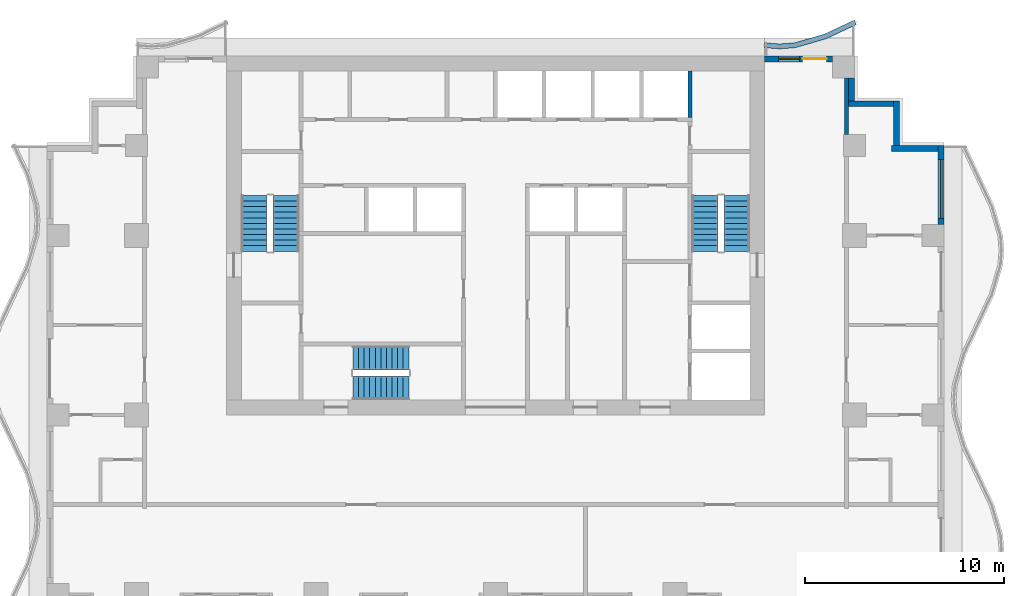
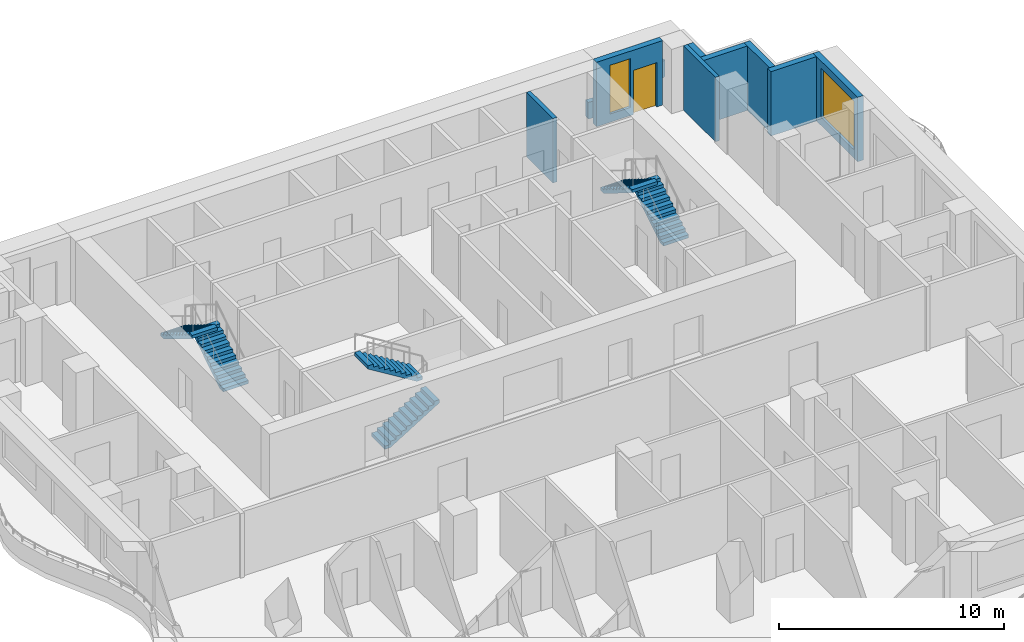
# One storey, part 6 of 10: 9 walls, 6 stair flights, 2 windows, 1 door, 3 openings, 3 elements without a shape of their own.
"""IFC4 building model written with IfcOpenShell, lengths in metres."""

import ifcopenshell
import ifcopenshell.guid

model = None  # the IFC model being written
_history = None  # IfcOwnerHistory: only IFC2X3 demands one
_inside = {}  # id of a spatial element -> (the spatial element, [elements in it])
_under = {}  # id of a project, library or spatial element -> (it, [spatial elements below it])
_declared = {}  # id of a project -> (the project, [libraries it declares])
_typed = {}  # id of a type object -> (the type object, [elements of that type])
_made_of = {}  # id of a material, layer set ... -> (it, [elements and type objects made of it])


def new_model(schema):
    """Start an empty IFC model of exactly this schema.

    Asked for "IFC4X3", IfcOpenShell would pick the latest addendum, in which some entities
    have other attributes; the version numbers below select the first issue.
    IFC2X3 requires an IfcOwnerHistory on every rooted entity: one is made here for all.
    """
    global model, _history
    if schema == "IFC4X3":
        model = ifcopenshell.file(schema_version=(4, 3, 0, 0))
    else:
        model = ifcopenshell.file(schema=schema)
    _inside.clear()
    _under.clear()
    _declared.clear()
    _typed.clear()
    _made_of.clear()
    _history = None
    if model.schema == "IFC2X3":
        org = make("IfcOrganization", Name="unknown")
        user = make(
            "IfcPersonAndOrganization",
            ThePerson=make("IfcPerson", FamilyName="unknown"),
            TheOrganization=org,
        )
        app = make(
            "IfcApplication",
            ApplicationDeveloper=org,
            Version="unknown",
            ApplicationFullName="unknown",
            ApplicationIdentifier="unknown",
        )
        _history = make(
            "IfcOwnerHistory",
            OwningUser=user,
            OwningApplication=app,
            ChangeAction="ADDED",
            CreationDate=0,
        )
    return model


def make(cls, **values):
    """One entity of the class cls with the attributes given. An attribute that is None is left unset."""
    return model.create_entity(
        cls, **{name: value for name, value in values.items() if value is not None}
    )


def rooted(cls, **values):
    """An entity with a GlobalId (a new one), such as an element, a storey or a relation."""
    return make(cls, GlobalId=ifcopenshell.guid.new(), OwnerHistory=_history, **values)


def si_unit(unit_type, name, prefix=None):
    """IfcSIUnit, for example si_unit("LENGTHUNIT", "METRE", prefix="MILLI")."""
    return make("IfcSIUnit", UnitType=unit_type, Prefix=prefix, Name=name)


def assignment(units):
    """IfcUnitAssignment: the units of a project."""
    return None if units is None else make("IfcUnitAssignment", Units=units)


def point(xyz):
    """IfcCartesianPoint."""
    return None if xyz is None else make("IfcCartesianPoint", Coordinates=xyz)


def direction(xyz):
    """IfcDirection."""
    return None if xyz is None else make("IfcDirection", DirectionRatios=xyz)


def frame(location, z_axis=None, x_axis=None):
    """IfcAxis2Placement3D, a coordinate frame: its origin and axes. An axis left out is left unset."""
    return make(
        "IfcAxis2Placement3D",
        Location=point(location),
        Axis=direction(z_axis),
        RefDirection=direction(x_axis),
    )


def frame_2d(location, x_axis=None):
    """IfcAxis2Placement2D, a coordinate frame in the plane: its origin and x axis."""
    return make(
        "IfcAxis2Placement2D", Location=point(location), RefDirection=direction(x_axis)
    )


def origin():
    """The frame at (0, 0, 0) with its axes left unset."""
    return frame((0.0, 0.0, 0.0))


def place(relative_to, where):
    """IfcLocalPlacement: puts the frame where relative to a parent placement (None: the world)."""
    return make(
        "IfcLocalPlacement", PlacementRelTo=relative_to, RelativePlacement=where
    )


def context(
    kind, dimensions, precision=None, world=None, true_north=None, identifier=None
):
    """IfcGeometricRepresentationContext, for example the 3D "Model" context."""
    return make(
        "IfcGeometricRepresentationContext",
        ContextIdentifier=identifier,
        ContextType=kind,
        CoordinateSpaceDimension=dimensions,
        Precision=precision,
        WorldCoordinateSystem=world,
        TrueNorth=true_north,
    )


def subcontext(parent, identifier, kind, view, scale=None):
    """IfcGeometricRepresentationSubContext, for example "Body" below "Model"."""
    return make(
        "IfcGeometricRepresentationSubContext",
        ContextIdentifier=identifier,
        ContextType=kind,
        ParentContext=parent,
        TargetScale=scale,
        TargetView=view,
    )


def project(units=None, contexts=None):
    """IfcProject with its units and contexts."""
    return rooted(
        "IfcProject",
        Name="project",
        RepresentationContexts=contexts,
        UnitsInContext=assignment(units),
    )


def spatial(cls, under=None, at=None, **own):
    """A site, building, storey or space (cls), placed at a placement, below another one or the project."""
    s = rooted(cls, ObjectPlacement=at, **own)
    if under is not None:
        _under.setdefault(under.id(), (under, []))[1].append(s)
    return s


def polyline(points):
    """IfcPolyline through the points."""
    return make("IfcPolyline", Points=[point(p) for p in points])


def profile(cls, at=None, kind="AREA", **sizes):
    """A parametric profile (cls). Its sizes go by their IFC names, for example OverallWidth=200.0."""
    return make(cls, ProfileType=kind, Position=at, **sizes)


def rectangle(**sizes):
    """IfcRectangleProfileDef."""
    return profile("IfcRectangleProfileDef", **sizes)


def outline(outer, holes=None, kind="AREA"):
    """IfcArbitraryClosedProfileDef: a profile drawn as a closed curve; with holes, ...WithVoids."""
    if holes is None:
        return make("IfcArbitraryClosedProfileDef", ProfileType=kind, OuterCurve=outer)
    return make(
        "IfcArbitraryProfileDefWithVoids",
        ProfileType=kind,
        OuterCurve=outer,
        InnerCurves=holes,
    )


def extrude(swept, where, along, depth):
    """IfcExtrudedAreaSolid: the profile swept, set in the frame where, extruded along a direction by depth."""
    return make(
        "IfcExtrudedAreaSolid",
        SweptArea=swept,
        Position=where,
        ExtrudedDirection=direction(along),
        Depth=depth,
    )


def shape(context_of_items, identifier, shape_type, items):
    """IfcShapeRepresentation: the items that make up one representation, for example the "Body"."""
    return make(
        "IfcShapeRepresentation",
        ContextOfItems=context_of_items,
        RepresentationIdentifier=identifier,
        RepresentationType=shape_type,
        Items=items,
    )


def material(Name=None, Category=None):
    """IfcMaterial."""
    return make("IfcMaterial", Name=Name, Category=Category)


def layer(
    of_material, thickness, ventilated=None, Name=None, Category=None, Priority=None
):
    """IfcMaterialLayer: one layer of a wall or slab, of a material (None: an air gap)."""
    return make(
        "IfcMaterialLayer",
        Material=of_material,
        LayerThickness=thickness,
        IsVentilated=ventilated,
        Name=Name,
        Category=Category,
        Priority=Priority,
    )


def layer_set(layers, Name=None):
    """IfcMaterialLayerSet."""
    return make("IfcMaterialLayerSet", MaterialLayers=layers, LayerSetName=Name)


def made_of(thing, what):
    """Note that an element or type object is made of a material, layer set ...; save() writes the relation."""
    if what is not None:
        _made_of.setdefault(what.id(), (what, []))[1].append(thing)
    return thing


def type_object(cls, material=None, **own):
    """A type object (cls), such as IfcWallType, which elements share."""
    return made_of(rooted(cls, **own), material)


def element(
    cls,
    number,
    at=None,
    inside=None,
    cuts=None,
    type_object=None,
    material=None,
    context=None,
    identifier="Body",
    shape_type=None,
    held_by="IfcProductDefinitionShape",
    body=None,
    shapes=None,
    **own,
):
    """One element of the class cls, such as IfcWall. Its Tag is "e" and its number.

    at: its placement. inside: the storey or other place that contains it. cuts: it is an
    opening in that element (IfcRelVoidsElement). A single representation is given by context,
    identifier, shape_type and body (its items); several are given by shapes. held_by: the class
    of the entity that holds the representations. save() writes the other relations.
    """
    e = rooted(cls, Tag="e%d" % number, ObjectPlacement=at, **own)
    if body is not None:
        shapes = [shape(context, identifier, shape_type, body)]
    if shapes is not None:
        e.Representation = make(held_by, Representations=shapes)
    if inside is not None:
        _inside.setdefault(inside.id(), (inside, []))[1].append(e)
    if cuts is not None:
        rooted(
            "IfcRelVoidsElement", RelatingBuildingElement=cuts, RelatedOpeningElement=e
        )
    if type_object is not None:
        _typed.setdefault(type_object.id(), (type_object, []))[1].append(e)
    return made_of(e, material)


def fill(opening, filler):
    """IfcRelFillsElement: the door or window that sits in an opening."""
    return rooted(
        "IfcRelFillsElement",
        RelatingOpeningElement=opening,
        RelatedBuildingElement=filler,
    )


def aggregate(whole, parts):
    """IfcRelAggregates: a whole, such as a stair, and the parts it consists of."""
    return rooted("IfcRelAggregates", RelatingObject=whole, RelatedObjects=parts)


def save(model, path):
    """Write the relations noted so far, then the file.

    IfcRelAggregates (storeys below a building ...), IfcRelContainedInSpatialStructure (elements
    in a storey), IfcRelDefinesByType, IfcRelAssociatesMaterial and IfcRelDeclares: one each for
    every whole, place, type object, material and project.
    """
    for whole, parts in _under.values():
        aggregate(whole, parts)
    for where, things in _inside.values():
        rooted(
            "IfcRelContainedInSpatialStructure",
            RelatedElements=things,
            RelatingStructure=where,
        )
    for kind, things in _typed.values():
        rooted("IfcRelDefinesByType", RelatedObjects=things, RelatingType=kind)
    for what, things in _made_of.values():
        rooted("IfcRelAssociatesMaterial", RelatedObjects=things, RelatingMaterial=what)
    for by, libraries in _declared.values():
        rooted("IfcRelDeclares", RelatingContext=by, RelatedDefinitions=libraries)
    model.write(path)


model = new_model("IFC4")

# Units and contexts
model_context = context("Model", 3, precision=1e-05, world=origin(), true_north=direction((0.0, 1.0)))
body_context = subcontext(model_context, "Body", "Model", "MODEL_VIEW")
ifc_project = project(units=[si_unit("LENGTHUNIT", "METRE"), si_unit("AREAUNIT", "SQUARE_METRE"), si_unit("VOLUMEUNIT", "CUBIC_METRE"), si_unit("PLANEANGLEUNIT", "RADIAN"), si_unit("MASSUNIT", "GRAM", prefix="KILO")], contexts=[model_context])

# Site, building, storey
site_placement = place(None, origin())
site = spatial("IfcSite", under=ifc_project, at=site_placement, CompositionType="ELEMENT")
building_placement = place(site_placement, origin())
building = spatial("IfcBuilding", under=site, at=building_placement, Name="Orbiselva Terraces", CompositionType="ELEMENT")
storey_placement = place(building_placement, frame((0.0, 0.0, 159.2)))
storey = spatial("IfcBuildingStorey", under=building, at=storey_placement, Name="L40", CompositionType="ELEMENT", Elevation=159.2)

# Walls
ifc_material_1 = material(Name="Concrete C40/50", Category="concrete")
ifc_layer_1 = layer(ifc_material_1, 0.2)
ifc_layer_set_1 = layer_set([ifc_layer_1], Name="Concrete C40/50")
wall_type_1 = type_object("IfcWallType", Name="CORE-WALL-SHAFT-200", PredefinedType="PARTITIONING", material=ifc_layer_set_1)
wall_1_placement = place(storey_placement, frame((9.75, 19.4, 0.0), z_axis=(0.0, 0.0, 1.0), x_axis=(0.0, 1.0, 0.0)))
element("IfcWall", 1, at=wall_1_placement, inside=storey, type_object=wall_type_1, Name="L40 core wall 44", PredefinedType="PARTITIONING", context=body_context, shape_type="SweptSolid", body=[
    extrude(rectangle(XDim=2.35, YDim=0.2, at=frame_2d((1.175, 0.0))), origin(), (0.0, 0.0, 1.0), 3.5),
])
ifc_layer_2 = layer(ifc_material_1, 0.25)
ifc_layer_set_2 = layer_set([ifc_layer_2], Name="Concrete C40/50")
wall_type_2 = type_object("IfcWallType", Name="ENV-PLANTER-250x900", PredefinedType="USERDEFINED", material=ifc_layer_set_2)
wall_2_placement = place(storey_placement, origin())
element("IfcWall", 2, at=wall_2_placement, inside=storey, type_object=wall_type_2, Name="Balcony planter L40 NE", ObjectType="PLANTER", PredefinedType="USERDEFINED", context=body_context, shape_type="SweptSolid", body=[
    extrude(outline(polyline([(18.0, 24.3), (16.5, 23.594658), (15.0, 23.158732), (14.25, 23.1), (13.5, 23.158732), (13.480482, 22.909495), (14.25, 22.849235), (15.045114, 22.911499), (16.588618, 23.360069), (18.106383, 24.073764), (18.0, 24.3)])), origin(), (0.0, 0.0, 1.0), 0.9),
])

# Wall, opening, window
ifc_material_2 = material(Name="Terracotta cladding on masonry backing", Category="masonry")
ifc_layer_3 = layer(ifc_material_2, 0.3)
ifc_layer_set_3 = layer_set([ifc_layer_3], Name="Terracotta cladding on masonry backing")
wall_type_3 = type_object("IfcWallType", Name="ENV-WALL-TERRACOTTA-300", PredefinedType="SOLIDWALL", material=ifc_layer_set_3)
wall_3_placement = place(storey_placement, frame((22.35, 18.0, 0.0), z_axis=(0.0, 0.0, 1.0), x_axis=(0.0, -1.0, 0.0)))
wall_3 = element("IfcWall", 3, at=wall_3_placement, inside=storey, type_object=wall_type_3, Name="Facade wall L40 E", PredefinedType="SOLIDWALL", context=body_context, shape_type="SweptSolid", body=[
    extrude(rectangle(XDim=3.95, YDim=0.3, at=frame_2d((1.975, 0.0))), origin(), (0.0, 0.0, 1.0), 3.5),
])
opening_1_placement = place(wall_3_placement, frame((0.7, 0.0, 0.45)))
opening_1 = element("IfcOpeningElement", 4, at=opening_1_placement, cuts=wall_3, Name="Opening WN12", PredefinedType="OPENING", context=body_context, shape_type="SweptSolid", body=[
    extrude(rectangle(XDim=2.95, YDim=2.65, at=frame_2d((1.475, 1.325))), frame((0.0, 0.16, 0.0), z_axis=(0.0, -1.0, 0.0), x_axis=(1.0, 0.0, 0.0)), (0.0, 0.0, 1.0), 0.32),
])
ifc_material_3 = material(Name="Clear low-e glazing in aluminium frame", Category="aluminium")
window_type_1 = type_object("IfcWindowType", Name="WINDOW 2950 X 2650 S450", PartitioningType="TRIPLE_PANEL_VERTICAL", PredefinedType="WINDOW", material=ifc_material_3)
window_1_placement = place(opening_1_placement, origin())
window_1 = element("IfcWindow", 5, at=window_1_placement, inside=storey, type_object=window_type_1, Name="Window L40 E", OverallHeight=2.65, OverallWidth=2.95, PartitioningType="SINGLE_PANEL", PredefinedType="WINDOW", context=body_context, shape_type="SweptSolid", body=[
    extrude(rectangle(XDim=2.95, YDim=2.65, at=frame_2d((1.475, 1.325))), frame((0.0, 0.03, 0.0), z_axis=(0.0, -1.0, 0.0), x_axis=(1.0, 0.0, 0.0)), (0.0, 0.0, 1.0), 0.06),
])
fill(opening_1, window_1)

# Walls
wall_4_placement = place(storey_placement, frame((19.85, 17.85, 0.0), z_axis=(0.0, 0.0, 1.0), x_axis=(1.0, 0.0, 0.0)))
element("IfcWall", 6, at=wall_4_placement, inside=storey, type_object=wall_type_3, Name="Facade wall L40 STEP", PredefinedType="SOLIDWALL", context=body_context, shape_type="SweptSolid", body=[
    extrude(rectangle(XDim=2.35, YDim=0.3, at=frame_2d((1.175, 0.0))), origin(), (0.0, 0.0, 1.0), 3.5),
])
wall_5_placement = place(storey_placement, frame((20.1, 20.25, 0.0), z_axis=(0.0, 0.0, 1.0), x_axis=(0.0, -1.0, 0.0)))
element("IfcWall", 7, at=wall_5_placement, inside=storey, type_object=wall_type_3, Name="Facade wall L40 STEP", PredefinedType="SOLIDWALL", context=body_context, shape_type="SweptSolid", body=[
    extrude(rectangle(XDim=2.25, YDim=0.3, at=frame_2d((1.125, 0.0))), origin(), (0.0, 0.0, 1.0), 3.5),
])
wall_6_placement = place(storey_placement, frame((17.6, 20.1, 0.0), z_axis=(0.0, 0.0, 1.0), x_axis=(1.0, 0.0, 0.0)))
element("IfcWall", 8, at=wall_6_placement, inside=storey, type_object=wall_type_3, Name="Facade wall L40 STEP", PredefinedType="SOLIDWALL", context=body_context, shape_type="SweptSolid", body=[
    extrude(rectangle(XDim=2.35, YDim=0.3, at=frame_2d((1.175, 0.0))), origin(), (0.0, 0.0, 1.0), 3.5),
])
wall_7_placement = place(storey_placement, frame((17.85, 21.4, 0.0), z_axis=(0.0, 0.0, 1.0), x_axis=(0.0, -1.0, 0.0)))
element("IfcWall", 9, at=wall_7_placement, inside=storey, type_object=wall_type_3, Name="Facade wall L40 STEP", PredefinedType="SOLIDWALL", context=body_context, shape_type="SweptSolid", body=[
    extrude(rectangle(XDim=1.15, YDim=0.3, at=frame_2d((0.575, 0.0))), origin(), (0.0, 0.0, 1.0), 3.5),
])

# Wall, openings, door, window
wall_8_placement = place(storey_placement, frame((13.5, 22.35, 0.0), z_axis=(0.0, 0.0, 1.0), x_axis=(1.0, 0.0, 0.0)))
wall_8 = element("IfcWall", 10, at=wall_8_placement, inside=storey, type_object=wall_type_3, Name="Facade wall L40 NE", PredefinedType="SOLIDWALL", context=body_context, shape_type="SweptSolid", body=[
    extrude(rectangle(XDim=3.4, YDim=0.3, at=frame_2d((1.7, 0.0))), origin(), (0.0, 0.0, 1.0), 3.5),
])
opening_2_placement = place(wall_8_placement, frame((1.9, 0.0, 0.0)))
opening_2 = element("IfcOpeningElement", 11, at=opening_2_placement, cuts=wall_8, Name="Opening Z3-D-E05", PredefinedType="OPENING", context=body_context, shape_type="SweptSolid", body=[
    extrude(rectangle(XDim=1.2, YDim=2.4, at=frame_2d((0.6, 1.2))), frame((0.0, 0.16, 0.0), z_axis=(0.0, -1.0, 0.0), x_axis=(1.0, 0.0, 0.0)), (0.0, 0.0, 1.0), 0.32),
])
opening_3_placement = place(wall_8_placement, frame((0.7, 0.0, 0.45)))
opening_3 = element("IfcOpeningElement", 12, at=opening_3_placement, cuts=wall_8, Name="Opening WN13", PredefinedType="OPENING", context=body_context, shape_type="SweptSolid", body=[
    extrude(rectangle(XDim=1.05, YDim=2.65, at=frame_2d((0.525, 1.325))), frame((0.0, 0.16, 0.0), z_axis=(0.0, -1.0, 0.0), x_axis=(1.0, 0.0, 0.0)), (0.0, 0.0, 1.0), 0.32),
])
door_type = type_object("IfcDoorType", Name="BALCONY DOOR 1200 X 2400", OperationType="DOUBLE_DOOR_SLIDING", PredefinedType="DOOR", material=ifc_material_3)
door_placement = place(opening_2_placement, origin())
door = element("IfcDoor", 13, at=door_placement, inside=storey, type_object=door_type, Name="Z3-D-E05", OperationType="SINGLE_SWING_LEFT", OverallHeight=2.4, OverallWidth=1.2, PredefinedType="DOOR", context=body_context, shape_type="SweptSolid", body=[
    extrude(rectangle(XDim=1.2, YDim=2.4, at=frame_2d((0.6, 1.2))), frame((0.0, 0.025, 0.0), z_axis=(0.0, -1.0, 0.0), x_axis=(1.0, 0.0, 0.0)), (0.0, 0.0, 1.0), 0.05),
])
fill(opening_2, door)
window_type_2 = type_object("IfcWindowType", Name="WINDOW 1050 X 2650 S450", PartitioningType="TRIPLE_PANEL_VERTICAL", PredefinedType="WINDOW", material=ifc_material_3)
window_2_placement = place(opening_3_placement, origin())
window_2 = element("IfcWindow", 14, at=window_2_placement, inside=storey, type_object=window_type_2, Name="Window L40 NE", OverallHeight=2.65, OverallWidth=1.05, PartitioningType="SINGLE_PANEL", PredefinedType="WINDOW", context=body_context, shape_type="SweptSolid", body=[
    extrude(rectangle(XDim=1.05, YDim=2.65, at=frame_2d((0.525, 1.325))), frame((0.0, 0.03, 0.0), z_axis=(0.0, -1.0, 0.0), x_axis=(1.0, 0.0, 0.0)), (0.0, 0.0, 1.0), 0.06),
])
fill(opening_3, window_2)

# Wall
ifc_material_4 = material(Name="Plasterboard on steel stud partition", Category="steel")
ifc_layer_4 = layer(ifc_material_4, 0.2)
ifc_layer_set_4 = layer_set([ifc_layer_4], Name="Plasterboard on steel stud partition")
wall_type_4 = type_object("IfcWallType", Name="UNIT-ENTRANCE-WALL-200", PredefinedType="PARTITIONING", material=ifc_layer_set_4)
wall_9_placement = place(storey_placement, frame((17.6, 18.55, 0.0), z_axis=(0.0, 0.0, 1.0), x_axis=(0.0, 1.0, 0.0)))
element("IfcWall", 15, at=wall_9_placement, inside=storey, type_object=wall_type_4, Name="PARTITION L40-063", PredefinedType="PARTITIONING", context=body_context, shape_type="SweptSolid", body=[
    extrude(rectangle(XDim=2.85, YDim=0.2, at=frame_2d((1.425, 0.0))), origin(), (0.0, 0.0, 1.0), 3.5),
])

# Stair, stair flights
stair_type_1 = type_object("IfcStairType", Name="CORE-STAIR-1200", PredefinedType="HALF_TURN_STAIR", material=ifc_material_1)
stair_1_placement = place(storey_placement, origin())
stair_1 = element("IfcStair", 16, at=stair_1_placement, inside=storey, type_object=stair_type_1, Name="L40 Exit Stair S3", PredefinedType="HALF_TURN_STAIR")
stair_flight_type_1 = type_object("IfcStairFlightType", Name="CORE-STAIR-FLIGHT-1200", PredefinedType="STRAIGHT", material=ifc_material_1)
stair_flight_1_placement = place(storey_placement, frame((-7.15, 5.85, 0.0), z_axis=(0.0, 0.0, 1.0), x_axis=(1.0, 0.0, 0.0)))
stair_flight_1 = element("IfcStairFlight", 17, at=stair_flight_1_placement, type_object=stair_flight_type_1, Name="S3 flight 1", NumberOfRisers=11, NumberOfTreads=10, PredefinedType="STRAIGHT", RiserHeight=0.172727273, TreadLength=0.28, context=body_context, shape_type="SweptSolid", body=[
    extrude(outline(polyline([(0.0, 0.0), (0.0, 0.172727), (0.28, 0.172727), (0.28, 0.345455), (0.56, 0.345455), (0.56, 0.518182), (0.84, 0.518182), (0.84, 0.690909), (1.12, 0.690909), (1.12, 0.863636), (1.4, 0.863636), (1.4, 1.036364), (1.68, 1.036364), (1.68, 1.209091), (1.96, 1.209091), (1.96, 1.381818), (2.24, 1.381818), (2.24, 1.554545), (2.52, 1.554545), (2.52, 1.727273), (2.8, 1.727273), (2.8, 1.9), (2.8, 1.551028), (0.285702, 0.0), (0.0, 0.0)])), frame((0.0, 0.6, 0.0), z_axis=(0.0, -1.0, 0.0), x_axis=(1.0, 0.0, 0.0)), (0.0, 0.0, 1.0), 1.2),
])
stair_flight_2_placement = place(storey_placement, frame((-4.35, 7.35, 1.9), z_axis=(0.0, 0.0, 1.0), x_axis=(-1.0, 0.0, 0.0)))
stair_flight_2 = element("IfcStairFlight", 18, at=stair_flight_2_placement, type_object=stair_flight_type_1, Name="S3 flight 2", NumberOfRisers=11, NumberOfTreads=10, PredefinedType="STRAIGHT", RiserHeight=0.172727273, TreadLength=0.28, context=body_context, shape_type="SweptSolid", body=[
    extrude(outline(polyline([(0.0, 0.0), (0.0, 0.172727), (0.28, 0.172727), (0.28, 0.345455), (0.56, 0.345455), (0.56, 0.518182), (0.84, 0.518182), (0.84, 0.690909), (1.12, 0.690909), (1.12, 0.863636), (1.4, 0.863636), (1.4, 1.036364), (1.68, 1.036364), (1.68, 1.209091), (1.96, 1.209091), (1.96, 1.381818), (2.24, 1.381818), (2.24, 1.554545), (2.52, 1.554545), (2.52, 1.727273), (2.8, 1.727273), (2.8, 1.9), (2.8, 1.551028), (0.285702, 0.0), (0.0, 0.0)])), frame((0.0, 0.6, 0.0), z_axis=(0.0, -1.0, 0.0), x_axis=(1.0, 0.0, 0.0)), (0.0, 0.0, 1.0), 1.2),
])
aggregate(stair_1, [stair_flight_1, stair_flight_2])

stair_type_2 = type_object("IfcStairType", Name="CORE-STAIR-1300", PredefinedType="HALF_TURN_STAIR", material=ifc_material_1)
stair_2_placement = place(storey_placement, origin())
stair_2 = element("IfcStair", 19, at=stair_2_placement, inside=storey, type_object=stair_type_2, Name="L40 Exit Stair S1", PredefinedType="HALF_TURN_STAIR")
stair_flight_type_2 = type_object("IfcStairFlightType", Name="CORE-STAIR-FLIGHT-1300", PredefinedType="STRAIGHT", material=ifc_material_1)
stair_flight_3_placement = place(storey_placement, frame((-10.5, 12.7, 0.0), z_axis=(0.0, 0.0, 1.0), x_axis=(0.0, 1.0, 0.0)))
stair_flight_3 = element("IfcStairFlight", 20, at=stair_flight_3_placement, type_object=stair_flight_type_2, Name="S1 flight 1", NumberOfRisers=11, NumberOfTreads=10, PredefinedType="STRAIGHT", RiserHeight=0.172727273, TreadLength=0.28, context=body_context, shape_type="SweptSolid", body=[
    extrude(outline(polyline([(0.0, 0.0), (0.0, 0.172727), (0.28, 0.172727), (0.28, 0.345455), (0.56, 0.345455), (0.56, 0.518182), (0.84, 0.518182), (0.84, 0.690909), (1.12, 0.690909), (1.12, 0.863636), (1.4, 0.863636), (1.4, 1.036364), (1.68, 1.036364), (1.68, 1.209091), (1.96, 1.209091), (1.96, 1.381818), (2.24, 1.381818), (2.24, 1.554545), (2.52, 1.554545), (2.52, 1.727273), (2.8, 1.727273), (2.8, 1.9), (2.8, 1.551028), (0.285702, 0.0), (0.0, 0.0)])), frame((0.0, 0.65, 0.0), z_axis=(0.0, -1.0, 0.0), x_axis=(1.0, 0.0, 0.0)), (0.0, 0.0, 1.0), 1.3),
])
stair_flight_4_placement = place(storey_placement, frame((-12.1, 15.5, 1.9), z_axis=(0.0, 0.0, 1.0), x_axis=(0.0, -1.0, 0.0)))
stair_flight_4 = element("IfcStairFlight", 21, at=stair_flight_4_placement, type_object=stair_flight_type_2, Name="S1 flight 2", NumberOfRisers=11, NumberOfTreads=10, PredefinedType="STRAIGHT", RiserHeight=0.172727273, TreadLength=0.28, context=body_context, shape_type="SweptSolid", body=[
    extrude(outline(polyline([(0.0, 0.0), (0.0, 0.172727), (0.28, 0.172727), (0.28, 0.345455), (0.56, 0.345455), (0.56, 0.518182), (0.84, 0.518182), (0.84, 0.690909), (1.12, 0.690909), (1.12, 0.863636), (1.4, 0.863636), (1.4, 1.036364), (1.68, 1.036364), (1.68, 1.209091), (1.96, 1.209091), (1.96, 1.381818), (2.24, 1.381818), (2.24, 1.554545), (2.52, 1.554545), (2.52, 1.727273), (2.8, 1.727273), (2.8, 1.9), (2.8, 1.551028), (0.285702, 0.0), (0.0, 0.0)])), frame((0.0, 0.65, 0.0), z_axis=(0.0, -1.0, 0.0), x_axis=(1.0, 0.0, 0.0)), (0.0, 0.0, 1.0), 1.3),
])
aggregate(stair_2, [stair_flight_3, stair_flight_4])

stair_3_placement = place(storey_placement, origin())
stair_3 = element("IfcStair", 22, at=stair_3_placement, inside=storey, type_object=stair_type_2, Name="L40 Exit Stair S2", PredefinedType="HALF_TURN_STAIR")
stair_flight_5_placement = place(storey_placement, frame((12.1, 12.7, 0.0), z_axis=(0.0, 0.0, 1.0), x_axis=(0.0, 1.0, 0.0)))
stair_flight_5 = element("IfcStairFlight", 23, at=stair_flight_5_placement, type_object=stair_flight_type_2, Name="S2 flight 1", NumberOfRisers=11, NumberOfTreads=10, PredefinedType="STRAIGHT", RiserHeight=0.172727273, TreadLength=0.28, context=body_context, shape_type="SweptSolid", body=[
    extrude(outline(polyline([(0.0, 0.0), (0.0, 0.172727), (0.28, 0.172727), (0.28, 0.345455), (0.56, 0.345455), (0.56, 0.518182), (0.84, 0.518182), (0.84, 0.690909), (1.12, 0.690909), (1.12, 0.863636), (1.4, 0.863636), (1.4, 1.036364), (1.68, 1.036364), (1.68, 1.209091), (1.96, 1.209091), (1.96, 1.381818), (2.24, 1.381818), (2.24, 1.554545), (2.52, 1.554545), (2.52, 1.727273), (2.8, 1.727273), (2.8, 1.9), (2.8, 1.551028), (0.285702, 0.0), (0.0, 0.0)])), frame((0.0, 0.65, 0.0), z_axis=(0.0, -1.0, 0.0), x_axis=(1.0, 0.0, 0.0)), (0.0, 0.0, 1.0), 1.3),
])
stair_flight_6_placement = place(storey_placement, frame((10.5, 15.5, 1.9), z_axis=(0.0, 0.0, 1.0), x_axis=(0.0, -1.0, 0.0)))
stair_flight_6 = element("IfcStairFlight", 24, at=stair_flight_6_placement, type_object=stair_flight_type_2, Name="S2 flight 2", NumberOfRisers=11, NumberOfTreads=10, PredefinedType="STRAIGHT", RiserHeight=0.172727273, TreadLength=0.28, context=body_context, shape_type="SweptSolid", body=[
    extrude(outline(polyline([(0.0, 0.0), (0.0, 0.172727), (0.28, 0.172727), (0.28, 0.345455), (0.56, 0.345455), (0.56, 0.518182), (0.84, 0.518182), (0.84, 0.690909), (1.12, 0.690909), (1.12, 0.863636), (1.4, 0.863636), (1.4, 1.036364), (1.68, 1.036364), (1.68, 1.209091), (1.96, 1.209091), (1.96, 1.381818), (2.24, 1.381818), (2.24, 1.554545), (2.52, 1.554545), (2.52, 1.727273), (2.8, 1.727273), (2.8, 1.9), (2.8, 1.551028), (0.285702, 0.0), (0.0, 0.0)])), frame((0.0, 0.65, 0.0), z_axis=(0.0, -1.0, 0.0), x_axis=(1.0, 0.0, 0.0)), (0.0, 0.0, 1.0), 1.3),
])
aggregate(stair_3, [stair_flight_5, stair_flight_6])

save(model, "model.ifc")
